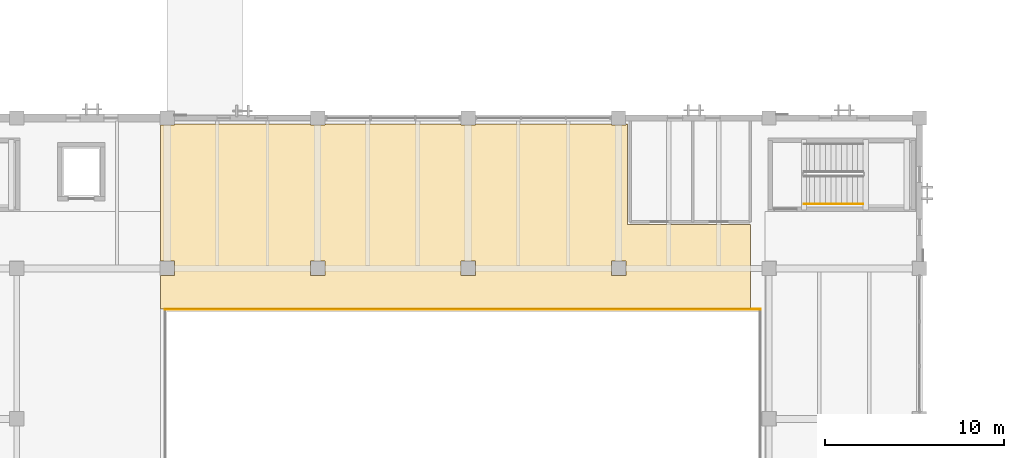
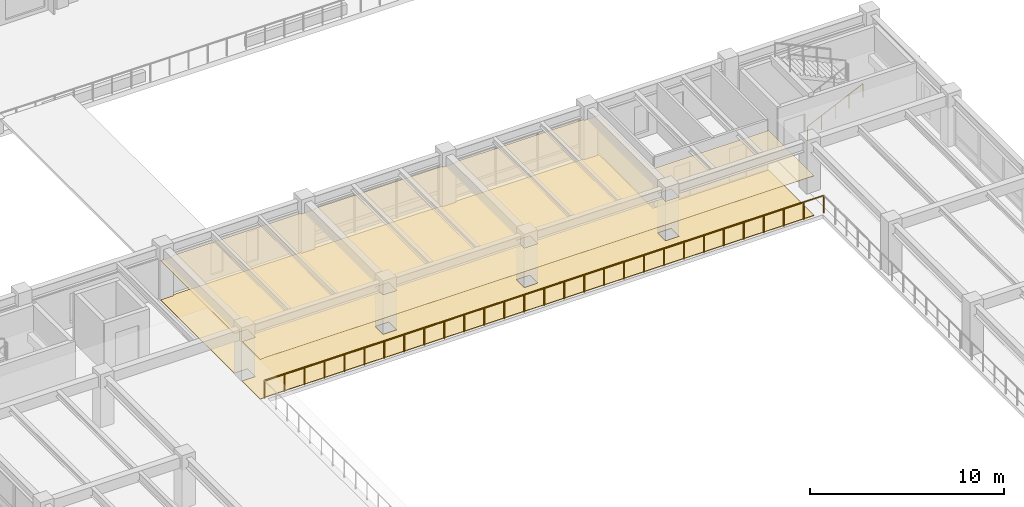
# One storey, part 102 of 111: 2 coverings, 2 railings.
"""IFC4 building model written with IfcOpenShell, lengths in metres."""

from ifc_helpers import new_model, si_unit, direction, frame, origin, origin_2d, place, context, subcontext, project, spatial, polyline, circle, outline, extrude, material, layer, layer_set, type_object, element, save


model = new_model("IFC4")

# Units and contexts
model_context = context("Model", 3, precision=1e-05, world=origin(), true_north=direction((0.0, 1.0)))
body_context = subcontext(model_context, "Body", "Model", "MODEL_VIEW")
ifc_project = project(units=[si_unit("LENGTHUNIT", "METRE"), si_unit("AREAUNIT", "SQUARE_METRE"), si_unit("VOLUMEUNIT", "CUBIC_METRE"), si_unit("PLANEANGLEUNIT", "RADIAN"), si_unit("MASSUNIT", "GRAM", prefix="KILO")], contexts=[model_context])

# Site, building, storey
site_placement = place(None, origin())
site = spatial("IfcSite", under=ifc_project, at=site_placement, CompositionType="ELEMENT")
building_placement = place(site_placement, origin())
building = spatial("IfcBuilding", under=site, at=building_placement, Name="Cumbredor Promenade Congress Hotel", CompositionType="ELEMENT")
storey_placement = place(building_placement, frame((0.0, 0.0, 15.1201171875)))
storey = spatial("IfcBuildingStorey", under=building, at=storey_placement, Name="L04", CompositionType="ELEMENT", Elevation=15.1201171875)

# Covering
ifc_material_1 = material(Name="Acoustic mineral-fiber and gypsum ceiling")
ifc_layer_1 = layer(ifc_material_1, 0.02197265625, Name="Acoustic mineral-fiber and gypsum ceiling")
ifc_layer_set_1 = layer_set([ifc_layer_1], Name="Acoustic mineral-fiber and gypsum ceiling")
covering_type_1 = type_object("IfcCoveringType", Name="Acoustic Perforated Gypsum Ceiling CLG-02 22mm", PredefinedType="CEILING", material=ifc_layer_set_1)
covering_1_placement = place(storey_placement, frame((0.0, 0.0, 2.48779296875)))
element("IfcCovering", 1, at=covering_1_placement, inside=storey, type_object=covering_type_1, Name="L04 Plenary North Concourse Corridor Acoustic Ceiling", PredefinedType="CEILING", context=body_context, shape_type="SweptSolid", body=[
    extrude(outline(polyline([(24.830078125, 58.39501953125), (25.60498046875, 58.39501953125), (25.60498046875, 59.205078125), (24.830078125, 59.205078125), (24.830078125, 66.794921875), (25.60498046875, 66.794921875), (25.60498046875, 66.8701171875), (33.195068359375, 66.8701171875), (33.195068359375, 66.794921875), (34.0048828125, 66.794921875), (34.0048828125, 66.8701171875), (41.594970703125, 66.8701171875), (41.594970703125, 66.794921875), (42.405029296875, 66.794921875), (42.405029296875, 66.8701171875), (49.9951171875, 66.8701171875), (49.9951171875, 66.794921875), (50.804931640625, 66.794921875), (50.804931640625, 66.8701171875), (50.89990234375, 66.8701171875), (50.89990234375, 61.25), (57.77001953125, 61.25), (57.77001953125, 56.550048828125), (25.050048828125, 56.550048828125), (25.050048828125, 56.530029296875), (24.830078125, 56.530029296875), (24.830078125, 58.39501953125)]), holes=[polyline([(33.195068359375, 59.205078125), (33.195068359375, 58.39501953125), (34.0048828125, 58.39501953125), (34.0048828125, 59.205078125), (33.195068359375, 59.205078125)]), polyline([(42.405029296875, 58.39501953125), (42.405029296875, 59.205078125), (41.594970703125, 59.205078125), (41.594970703125, 58.39501953125), (42.405029296875, 58.39501953125)]), polyline([(49.9951171875, 59.205078125), (49.9951171875, 58.39501953125), (50.804931640625, 58.39501953125), (50.804931640625, 59.205078125), (49.9951171875, 59.205078125)])]), origin(), (0.0, 0.0, 1.0), 0.02197265625),
])

# Railing
ifc_material_2 = material(Name="Brushed stainless steel", Category="steel")
railing_type_1 = type_object("IfcRailingType", Name="Interior Void & Stair Guardrail GR-1100", PredefinedType="GUARDRAIL", material=ifc_material_2)
railing_1_placement = place(storey_placement, frame((58.320068359375, 56.52001953125, 0.0)))
element("IfcRailing", 2, at=railing_1_placement, inside=storey, type_object=railing_type_1, Name="L04 v1_plenary_bowl Void Perimeter Guardrail 3", PredefinedType="GUARDRAIL", context=body_context, shape_type="SweptSolid", body=[
    extrude(circle(Radius=0.02392578125, at=origin_2d()), frame((0.0, 0.0, 1.09619140625), z_axis=(-1.0, 0.0, 0.0), x_axis=(0.0, -1.0, 0.0)), (0.0, 0.0, 1.0), 33.239990234375),
    extrude(circle(Radius=0.02099609375, at=origin_2d()), origin(), (0.0, 0.0, 1.0), 1.072021484375),
    extrude(circle(Radius=0.02099609375, at=origin_2d()), frame((-1.187255859375, 0.0, 0.0)), (0.0, 0.0, 1.0), 1.072021484375),
    extrude(circle(Radius=0.02099609375, at=origin_2d()), frame((-2.374267578125, 0.0, 0.0)), (0.0, 0.0, 1.0), 1.072021484375),
    extrude(circle(Radius=0.02099609375, at=origin_2d()), frame((-3.5615234375, 0.0, 0.0)), (0.0, 0.0, 1.0), 1.072021484375),
    extrude(circle(Radius=0.02099609375, at=origin_2d()), frame((-4.74853515625, 0.0, 0.0)), (0.0, 0.0, 1.0), 1.072021484375),
    extrude(circle(Radius=0.02099609375, at=origin_2d()), frame((-5.935791015625, 0.0, 0.0)), (0.0, 0.0, 1.0), 1.072021484375),
    extrude(circle(Radius=0.02099609375, at=origin_2d()), frame((-7.122802734375, 0.0, 0.0)), (0.0, 0.0, 1.0), 1.072021484375),
    extrude(circle(Radius=0.02099609375, at=origin_2d()), frame((-8.31005859375, 0.0, 0.0)), (0.0, 0.0, 1.0), 1.072021484375),
    extrude(circle(Radius=0.02099609375, at=origin_2d()), frame((-9.4970703125, 0.0, 0.0)), (0.0, 0.0, 1.0), 1.072021484375),
    extrude(circle(Radius=0.02099609375, at=origin_2d()), frame((-10.684326171875, 0.0, 0.0)), (0.0, 0.0, 1.0), 1.072021484375),
    extrude(circle(Radius=0.02099609375, at=origin_2d()), frame((-11.871337890625, 0.0, 0.0)), (0.0, 0.0, 1.0), 1.072021484375),
    extrude(circle(Radius=0.02099609375, at=origin_2d()), frame((-13.05859375, 0.0, 0.0)), (0.0, 0.0, 1.0), 1.072021484375),
    extrude(circle(Radius=0.02099609375, at=origin_2d()), frame((-14.24560546875, 0.0, 0.0)), (0.0, 0.0, 1.0), 1.072021484375),
    extrude(circle(Radius=0.02099609375, at=origin_2d()), frame((-15.432861328125, 0.0, 0.0)), (0.0, 0.0, 1.0), 1.072021484375),
    extrude(circle(Radius=0.02099609375, at=origin_2d()), frame((-16.6201171875, 0.0, 0.0)), (0.0, 0.0, 1.0), 1.072021484375),
    extrude(circle(Radius=0.02099609375, at=origin_2d()), frame((-17.80712890625, 0.0, 0.0)), (0.0, 0.0, 1.0), 1.072021484375),
    extrude(circle(Radius=0.02099609375, at=origin_2d()), frame((-18.994384765625, 0.0, 0.0)), (0.0, 0.0, 1.0), 1.072021484375),
    extrude(circle(Radius=0.02099609375, at=origin_2d()), frame((-20.181396484375, 0.0, 0.0)), (0.0, 0.0, 1.0), 1.072021484375),
    extrude(circle(Radius=0.02099609375, at=origin_2d()), frame((-21.36865234375, 0.0, 0.0)), (0.0, 0.0, 1.0), 1.072021484375),
    extrude(circle(Radius=0.02099609375, at=origin_2d()), frame((-22.5556640625, 0.0, 0.0)), (0.0, 0.0, 1.0), 1.072021484375),
    extrude(circle(Radius=0.02099609375, at=origin_2d()), frame((-23.742919921875, 0.0, 0.0)), (0.0, 0.0, 1.0), 1.072021484375),
    extrude(circle(Radius=0.02099609375, at=origin_2d()), frame((-24.929931640625, 0.0, 0.0)), (0.0, 0.0, 1.0), 1.072021484375),
    extrude(circle(Radius=0.02099609375, at=origin_2d()), frame((-26.1171875, 0.0, 0.0)), (0.0, 0.0, 1.0), 1.072021484375),
    extrude(circle(Radius=0.02099609375, at=origin_2d()), frame((-27.30419921875, 0.0, 0.0)), (0.0, 0.0, 1.0), 1.072021484375),
    extrude(circle(Radius=0.02099609375, at=origin_2d()), frame((-28.491455078125, 0.0, 0.0)), (0.0, 0.0, 1.0), 1.072021484375),
    extrude(circle(Radius=0.02099609375, at=origin_2d()), frame((-29.678466796875, 0.0, 0.0)), (0.0, 0.0, 1.0), 1.072021484375),
    extrude(circle(Radius=0.02099609375, at=origin_2d()), frame((-30.86572265625, 0.0, 0.0)), (0.0, 0.0, 1.0), 1.072021484375),
    extrude(circle(Radius=0.02099609375, at=origin_2d()), frame((-32.052734375, 0.0, 0.0)), (0.0, 0.0, 1.0), 1.072021484375),
    extrude(circle(Radius=0.02099609375, at=origin_2d()), frame((-33.239990234375, 0.0, 0.0)), (0.0, 0.0, 1.0), 1.072021484375),
])

# Covering
ifc_material_3 = material(Name="Porcelain stoneware tile", Category="masonry")
ifc_layer_2 = layer(ifc_material_3, 0.030029296875, Name="Porcelain stoneware tile", Category="masonry")
ifc_layer_set_2 = layer_set([ifc_layer_2], Name="Porcelain stoneware tile")
covering_type_2 = type_object("IfcCoveringType", Name="Porcelain Stoneware Flooring FLR-03 30mm", PredefinedType="FLOORING", material=ifc_layer_set_2)
covering_2_placement = place(storey_placement, origin())
element("IfcCovering", 3, at=covering_2_placement, inside=storey, type_object=covering_type_2, Name="L04 Plenary North Concourse Corridor Porcelain Flooring", PredefinedType="FLOORING", context=body_context, shape_type="SweptSolid", body=[
    extrude(outline(polyline([(24.830078125, 58.39501953125), (25.60498046875, 58.39501953125), (25.60498046875, 59.205078125), (24.830078125, 59.205078125), (24.830078125, 66.794921875), (25.60498046875, 66.794921875), (25.60498046875, 66.8701171875), (33.195068359375, 66.8701171875), (33.195068359375, 66.794921875), (34.0048828125, 66.794921875), (34.0048828125, 66.8701171875), (41.594970703125, 66.8701171875), (41.594970703125, 66.794921875), (42.405029296875, 66.794921875), (42.405029296875, 66.8701171875), (49.9951171875, 66.8701171875), (49.9951171875, 66.794921875), (50.804931640625, 66.794921875), (50.804931640625, 66.8701171875), (50.89990234375, 66.8701171875), (50.89990234375, 61.25), (57.77001953125, 61.25), (57.77001953125, 56.550048828125), (25.050048828125, 56.550048828125), (25.050048828125, 56.530029296875), (24.830078125, 56.530029296875), (24.830078125, 58.39501953125)]), holes=[polyline([(33.195068359375, 59.205078125), (33.195068359375, 58.39501953125), (34.0048828125, 58.39501953125), (34.0048828125, 59.205078125), (33.195068359375, 59.205078125)]), polyline([(42.405029296875, 58.39501953125), (42.405029296875, 59.205078125), (41.594970703125, 59.205078125), (41.594970703125, 58.39501953125), (42.405029296875, 58.39501953125)]), polyline([(49.9951171875, 59.205078125), (49.9951171875, 58.39501953125), (50.804931640625, 58.39501953125), (50.804931640625, 59.205078125), (49.9951171875, 59.205078125)])]), origin(), (0.0, 0.0, 1.0), 0.02978515625),
])

# Railing
railing_type_2 = type_object("IfcRailingType", Name="Stair Pitch Handrail HR-900", PredefinedType="HANDRAIL", material=ifc_material_2)
railing_2_placement = place(storey_placement, frame((60.75, 62.39990234375, 0.139892578125)))
element("IfcRailing", 4, at=railing_2_placement, inside=storey, type_object=railing_type_2, Name="L04 ST-07 stair handrail 1", PredefinedType="HANDRAIL", context=body_context, shape_type="SweptSolid", body=[
    extrude(circle(Radius=0.02392578125, at=origin_2d()), frame((0.0, 0.0, 0.8759765625), z_axis=(0.906181427284, 0.0, 0.422889135408), x_axis=(0.0, 1.0, 0.0)), (0.0, 0.0, 1.0), 3.6416015625),
    extrude(circle(Radius=0.02099609375, at=origin_2d()), origin(), (0.0, 0.0, 1.0), 0.851806640625),
    extrude(circle(Radius=0.02099609375, at=origin_2d()), frame((0.824951171875, 0.0, 0.385009765625)), (0.0, 0.0, 1.0), 0.851806640625),
    extrude(circle(Radius=0.02099609375, at=origin_2d()), frame((1.64990234375, 0.0, 0.77001953125)), (0.0, 0.0, 1.0), 0.851806640625),
    extrude(circle(Radius=0.02099609375, at=origin_2d()), frame((2.47509765625, 0.0, 1.155029296875)), (0.0, 0.0, 1.0), 0.851806640625),
    extrude(circle(Radius=0.02099609375, at=origin_2d()), frame((3.300048828125, 0.0, 1.5400390625)), (0.0, 0.0, 1.0), 0.851806640625),
])

save(model, "model.ifc")
